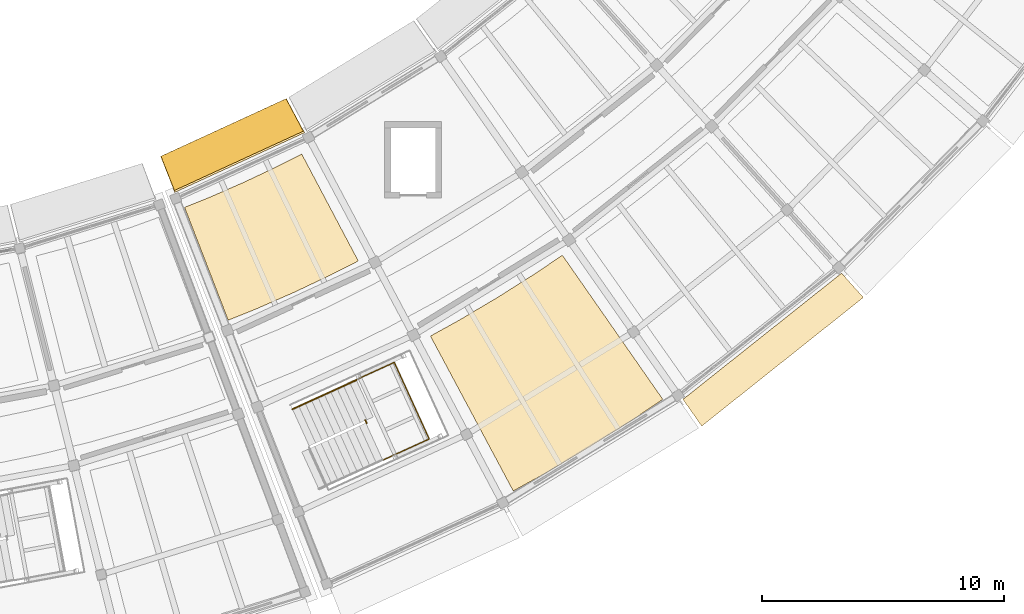
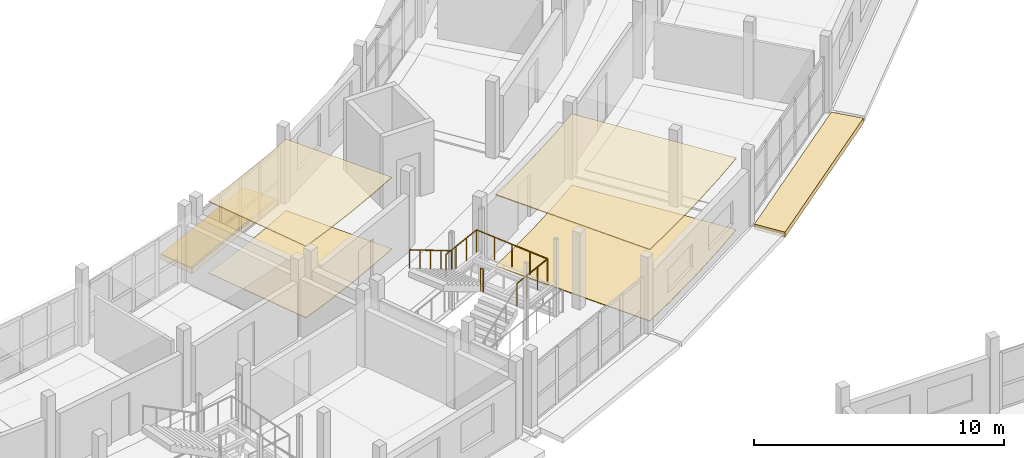
# One storey, part 73 of 77: 6 coverings, 3 railings, 1 shading device.
"""IFC4 building model written with IfcOpenShell, lengths in metres."""

from ifc_helpers import new_model, si_unit, direction, frame, origin, origin_2d, place, context, subcontext, project, spatial, polyline, circle, outline, extrude, material, layer, layer_set, type_object, element, save


model = new_model("IFC4")

# Units and contexts
model_context = context("Model", 3, precision=1e-05, world=origin(), true_north=direction((0.0, 1.0)))
body_context = subcontext(model_context, "Body", "Model", "MODEL_VIEW")
ifc_project = project(units=[si_unit("LENGTHUNIT", "METRE"), si_unit("AREAUNIT", "SQUARE_METRE"), si_unit("VOLUMEUNIT", "CUBIC_METRE"), si_unit("PLANEANGLEUNIT", "RADIAN"), si_unit("MASSUNIT", "GRAM", prefix="KILO")], contexts=[model_context])

# Site, building, storey
site_placement = place(None, origin())
site = spatial("IfcSite", under=ifc_project, at=site_placement, CompositionType="ELEMENT")
building_placement = place(site_placement, origin())
building = spatial("IfcBuilding", under=site, at=building_placement, Name="Caldaven Crescent School", CompositionType="ELEMENT")
storey_placement = place(building_placement, frame((0.0, 0.0, 4.419921875)))
storey = spatial("IfcBuildingStorey", under=building, at=storey_placement, Name="L01", CompositionType="ELEMENT", Elevation=4.419921875)

# Coverings
ifc_material_1 = material(Name="White architectural GFRC precast concrete C35/45 cladding", Category="concrete")
ifc_layer_1 = layer(ifc_material_1, 0.260009765625)
ifc_layer_set_1 = layer_set([ifc_layer_1], Name="White architectural GFRC precast concrete C35/45 cladding")
covering_type_1 = type_object("IfcCoveringType", Name="COV-CLD2", PredefinedType="CLADDING", material=ifc_layer_set_1)
covering_1_placement = place(storey_placement, frame((0.0, 0.0, -0.260009765625)))
element("IfcCovering", 1, at=covering_1_placement, inside=storey, type_object=covering_type_1, Name="CLD-IN-L01-023", PredefinedType="CLADDING", context=body_context, shape_type="SweptSolid", body=[
    extrude(outline(polyline([(106.507568359375, 48.90625), (111.70849609375, 51.298095703125), (112.458251953125, 49.884521484375), (107.0927734375, 47.4169921875), (106.507568359375, 48.90625)])), origin(), (0.0, 0.0, 1.0), 0.260009765625),
])
covering_2_placement = place(storey_placement, frame((0.0, 0.0, -0.260009765625)))
element("IfcCovering", 2, at=covering_2_placement, inside=storey, type_object=covering_type_1, Name="CLD-OUT-L01-028", PredefinedType="CLADDING", context=body_context, shape_type="SweptSolid", body=[
    extrude(outline(polyline([(128.095458984375, 38.865234375), (134.65087890625, 44.07958984375), (135.55322265625, 43.075439453125), (128.87109375, 37.760009765625), (128.095458984375, 38.865234375)])), origin(), (0.0, 0.0, 1.0), 0.260009765625),
])
ifc_material_2 = material(Name="Perforated Pino Radiata acoustic timber baffle ceiling", Category="wood")
ifc_layer_2 = layer(ifc_material_2, 0.0380859375)
ifc_layer_set_2 = layer_set([ifc_layer_2], Name="Perforated Pino Radiata acoustic timber baffle ceiling")
covering_type_2 = type_object("IfcCoveringType", Name="COV-CLG2", PredefinedType="CEILING", material=ifc_layer_set_2)
covering_3_placement = place(storey_placement, frame((0.0, 0.0, 3.482177734375)))
element("IfcCovering", 3, at=covering_3_placement, inside=storey, type_object=covering_type_2, Name="CLG-L01-133", PredefinedType="CEILING", context=body_context, shape_type="SweptSolid", body=[
    extrude(outline(polyline([(108.5185546875, 47.208984375), (108.53076171875, 47.214111328125), (109.943603515625, 47.8330078125), (109.955810546875, 47.83837890625), (111.349853515625, 48.498779296875), (111.36181640625, 48.504638671875), (112.341064453125, 49.004150390625), (114.677978515625, 44.584228515625), (113.56201171875, 44.014892578125), (112.023193359375, 43.285888671875), (110.46337890625, 42.6025390625), (109.3017578125, 42.1337890625), (107.4990234375, 46.797607421875), (108.5185546875, 47.208984375)])), origin(), (0.0, 0.0, 1.0), 0.037841796875),
])
ifc_layer_3 = layer(ifc_material_2, 0.0458984375)
ifc_layer_set_3 = layer_set([ifc_layer_3], Name="Perforated Pino Radiata acoustic timber baffle ceiling")
covering_type_3 = type_object("IfcCoveringType", Name="COV-CLG3", PredefinedType="CEILING", material=ifc_layer_set_3)
covering_4_placement = place(storey_placement, frame((0.0, 0.0, 3.47412109375)))
element("IfcCovering", 4, at=covering_4_placement, inside=storey, type_object=covering_type_3, Name="CLG-L01-134", PredefinedType="CEILING", context=body_context, shape_type="SweptSolid", body=[
    extrude(outline(polyline([(118.856201171875, 42.14306640625), (118.86767578125, 42.149658203125), (120.42578125, 43.0732421875), (120.43701171875, 43.080078125), (121.96728515625, 44.049072265625), (121.978515625, 44.056396484375), (123.112060546875, 44.82177734375), (127.2626953125, 38.865234375), (125.946533203125, 37.976806640625), (124.224853515625, 36.886474609375), (122.4716796875, 35.847412109375), (121.08251953125, 35.078125), (117.659423828125, 41.48046875), (118.856201171875, 42.14306640625)])), origin(), (0.0, 0.0, 1.0), 0.0458984375),
])
ifc_material_3 = material(Name="Polished terrazzo and acoustic linoleum flooring")
ifc_layer_4 = layer(ifc_material_3, 0.02587890625)
ifc_layer_set_4 = layer_set([ifc_layer_4], Name="Polished terrazzo and acoustic linoleum flooring")
covering_type_4 = type_object("IfcCoveringType", Name="COV-FLR2", PredefinedType="FLOORING", material=ifc_layer_set_4)
covering_5_placement = place(storey_placement, origin())
element("IfcCovering", 5, at=covering_5_placement, inside=storey, type_object=covering_type_4, Name="FLR-L01-133", PredefinedType="FLOORING", context=body_context, shape_type="SweptSolid", body=[
    extrude(outline(polyline([(107.4990234375, 46.797607421875), (108.5185546875, 47.208984375), (108.53076171875, 47.214111328125), (109.943603515625, 47.8330078125), (109.955810546875, 47.83837890625), (111.349853515625, 48.498779296875), (111.36181640625, 48.504638671875), (112.341064453125, 49.004150390625), (114.677978515625, 44.584228515625), (113.56201171875, 44.014892578125), (112.023193359375, 43.285888671875), (110.46337890625, 42.6025390625), (109.3017578125, 42.1337890625), (107.4990234375, 46.797607421875)])), origin(), (0.0, 0.0, 1.0), 0.026123046875),
])
ifc_layer_5 = layer(ifc_material_3, 0.031982421875)
ifc_layer_set_5 = layer_set([ifc_layer_5], Name="Polished terrazzo and acoustic linoleum flooring")
covering_type_5 = type_object("IfcCoveringType", Name="COV-FLR3", PredefinedType="FLOORING", material=ifc_layer_set_5)
covering_6_placement = place(storey_placement, origin())
element("IfcCovering", 6, at=covering_6_placement, inside=storey, type_object=covering_type_5, Name="FLR-L01-134", PredefinedType="FLOORING", context=body_context, shape_type="SweptSolid", body=[
    extrude(outline(polyline([(117.659423828125, 41.48046875), (118.856201171875, 42.14306640625), (118.86767578125, 42.149658203125), (120.42578125, 43.0732421875), (120.43701171875, 43.080078125), (121.96728515625, 44.049072265625), (121.978515625, 44.056396484375), (123.112060546875, 44.82177734375), (127.2626953125, 38.865234375), (125.946533203125, 37.976806640625), (124.224853515625, 36.886474609375), (122.4716796875, 35.847412109375), (121.08251953125, 35.078125), (117.659423828125, 41.48046875)])), origin(), (0.0, 0.0, 1.0), 0.031982421875),
])

# Railings
ifc_material_4 = material(Name="Brushed stainless-steel continuous tubular handrail", Category="steel")
railing_type_1 = type_object("IfcRailingType", Name="RAL-HR3", PredefinedType="HANDRAIL", material=ifc_material_4)
railing_1_placement = place(storey_placement, frame((114.59765625, 39.662353515625, 2.04296875)))
element("IfcRailing", 7, at=railing_1_placement, inside=storey, type_object=railing_type_1, Name="HR-ST4-L01-F2", PredefinedType="HANDRAIL", context=body_context, shape_type="SweptSolid", body=[
    extrude(circle(Radius=0.02392578125, at=origin_2d()), frame((0.0, 0.0, 0.89599609375), z_axis=(-0.784999710315, -0.357748965955, 0.505757977855), x_axis=(0.414697069895, -0.909959526694, 0.0)), (0.0, 0.0, 1.0), 3.361572265625),
    extrude(circle(Radius=0.02099609375, at=origin_2d()), origin(), (0.0, 0.0, 1.0), 0.871826171875),
    extrude(circle(Radius=0.02099609375, at=origin_2d()), frame((-0.65966796875, -0.30078125, 0.425048828125)), (0.0, 0.0, 1.0), 0.871826171875),
    extrude(circle(Radius=0.02099609375, at=origin_2d()), frame((-1.3193359375, -0.601318359375, 0.85009765625)), (0.0, 0.0, 1.0), 0.871826171875),
    extrude(circle(Radius=0.02099609375, at=origin_2d()), frame((-1.979248046875, -0.90185546875, 1.275146484375)), (0.0, 0.0, 1.0), 0.871826171875),
    extrude(circle(Radius=0.02099609375, at=origin_2d()), frame((-2.638916015625, -1.20263671875, 1.7001953125)), (0.0, 0.0, 1.0), 0.871826171875),
])
ifc_material_5 = material(Name="Powder-coated tubular steel balustrade ASTM A572 Grade 50", Category="steel")
railing_type_2 = type_object("IfcRailingType", Name="RAL-INT2", PredefinedType="BALUSTRADE", material=ifc_material_5)
railing_2_placement = place(storey_placement, frame((115.688720703125, 36.351806640625, 1.8701171875)))
element("IfcRailing", 8, at=railing_2_placement, inside=storey, type_object=railing_type_2, Name="GD-LND-ST4-L01", PredefinedType="BALUSTRADE", context=body_context, shape_type="SweptSolid", body=[
    extrude(circle(Radius=0.02392578125, at=origin_2d()), frame((0.0, 0.0, 1.09619140625), z_axis=(0.909973800764, 0.414665747227, 0.0), x_axis=(-0.414665747227, 0.909973800764, 0.0)), (0.0, 0.0, 1.0), 2.110107421875),
    extrude(circle(Radius=0.02392578125, at=origin_2d()), frame((1.920166015625, 0.875, 1.09619140625), z_axis=(-0.41470663112, 0.909955169283, 0.0), x_axis=(-0.909955169283, -0.41470663112, 0.0)), (0.0, 0.0, 1.0), 3.479736328125),
    extrude(circle(Radius=0.02392578125, at=origin_2d()), frame((0.47705078125, 4.04150390625, 1.09619140625), z_axis=(-0.909973800764, -0.414665747227, 0.0), x_axis=(0.414665747227, -0.909973800764, 0.0)), (0.0, 0.0, 1.0), 2.110107421875),
    extrude(circle(Radius=0.02099609375, at=origin_2d()), origin(), (0.0, 0.0, 1.0), 1.072021484375),
    extrude(circle(Radius=0.02099609375, at=origin_2d()), frame((0.64013671875, 0.291748046875, 0.0)), (0.0, 0.0, 1.0), 1.072021484375),
    extrude(circle(Radius=0.02099609375, at=origin_2d()), frame((1.280029296875, 0.583251953125, 0.0)), (0.0, 0.0, 1.0), 1.072021484375),
    extrude(circle(Radius=0.02099609375, at=origin_2d()), frame((1.920166015625, 0.875, 0.0)), (0.0, 0.0, 1.0), 1.072021484375),
    extrude(circle(Radius=0.02099609375, at=origin_2d()), frame((1.559326171875, 1.66650390625, 0.0)), (0.0, 0.0, 1.0), 1.072021484375),
    extrude(circle(Radius=0.02099609375, at=origin_2d()), frame((1.19873046875, 2.458251953125, 0.0)), (0.0, 0.0, 1.0), 1.072021484375),
    extrude(circle(Radius=0.02099609375, at=origin_2d()), frame((0.837890625, 3.25, 0.0)), (0.0, 0.0, 1.0), 1.072021484375),
    extrude(circle(Radius=0.02099609375, at=origin_2d()), frame((0.47705078125, 4.04150390625, 0.0)), (0.0, 0.0, 1.0), 1.072021484375),
    extrude(circle(Radius=0.02099609375, at=origin_2d()), frame((-0.1630859375, 3.749755859375, 0.0)), (0.0, 0.0, 1.0), 1.072021484375),
    extrude(circle(Radius=0.02099609375, at=origin_2d()), frame((-0.802978515625, 3.458251953125, 0.0)), (0.0, 0.0, 1.0), 1.072021484375),
    extrude(circle(Radius=0.02099609375, at=origin_2d()), frame((-1.443115234375, 3.16650390625, 0.0)), (0.0, 0.0, 1.0), 1.072021484375),
])
railing_3_placement = place(storey_placement, frame((115.023681640625, 37.8837890625, 1.8701171875)))
element("IfcRailing", 9, at=railing_3_placement, inside=storey, type_object=railing_type_2, Name="GD-SLT-ST4-L01", PredefinedType="BALUSTRADE", context=body_context, shape_type="SweptSolid", body=[
    extrude(circle(Radius=0.02392578125, at=origin_2d()), frame((0.0, 0.0, 1.09619140625), z_axis=(-0.414853292937, 0.909888314761, 0.0), x_axis=(-0.909888314761, -0.414853292937, 0.0)), (0.0, 0.0, 1.0), 0.14013671875),
    extrude(circle(Radius=0.02099609375, at=origin_2d()), origin(), (0.0, 0.0, 1.0), 1.072021484375),
    extrude(circle(Radius=0.02099609375, at=origin_2d()), frame((-0.05810546875, 0.12744140625, 0.0)), (0.0, 0.0, 1.0), 1.072021484375),
])

# Shading device
ifc_material_6 = material(Name="Precast concrete C35/45", Category="concrete")
ifc_layer_6 = layer(ifc_material_6, 0.1298828125)
ifc_layer_set_6 = layer_set([ifc_layer_6], Name="Precast concrete C35/45")
shading_device_type = type_object("IfcShadingDeviceType", Name="SHD-S02", PredefinedType="AWNING", material=ifc_layer_set_6)
shading_device_placement = place(storey_placement, frame((0.0, 0.0, -0.1298828125)))
element("IfcShadingDevice", 10, at=shading_device_placement, inside=storey, type_object=shading_device_type, Name="SHD-LDG-L01-018", PredefinedType="AWNING", context=body_context, shape_type="SweptSolid", body=[
    extrude(outline(polyline([(106.52392578125, 48.91259765625), (111.69287109375, 51.289794921875), (112.404541015625, 49.946533203125), (107.08056640625, 47.498046875), (106.52392578125, 48.91259765625)])), origin(), (0.0, 0.0, 1.0), 0.1298828125),
])

save(model, "model.ifc")
